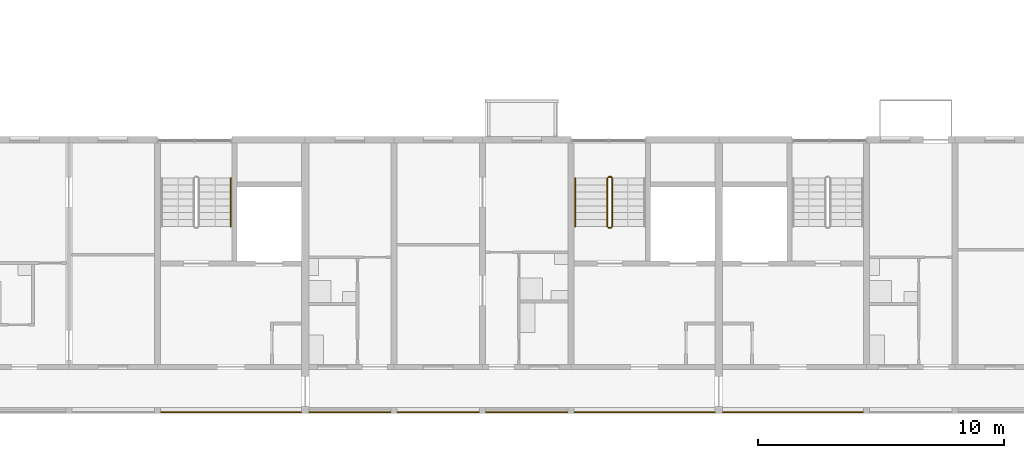
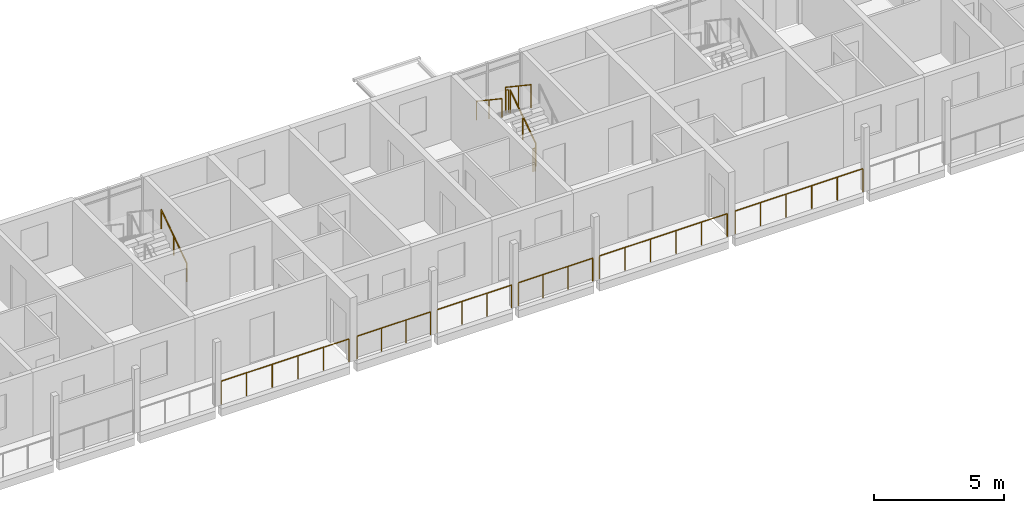
# One storey, part 82 of 98: 12 railings.
"""IFC4 building model written with IfcOpenShell, lengths in metres."""

from ifc_helpers import new_model, si_unit, direction, frame, origin, origin_2d, place, context, subcontext, project, spatial, circle, extrude, material, type_object, element, save


model = new_model("IFC4")

# Units and contexts
model_context = context("Model", 3, precision=1e-05, world=origin(), true_north=direction((0.0, 1.0)))
body_context = subcontext(model_context, "Body", "Model", "MODEL_VIEW")
ifc_project = project(units=[si_unit("LENGTHUNIT", "METRE"), si_unit("AREAUNIT", "SQUARE_METRE"), si_unit("VOLUMEUNIT", "CUBIC_METRE"), si_unit("PLANEANGLEUNIT", "RADIAN"), si_unit("MASSUNIT", "GRAM", prefix="KILO")], contexts=[model_context])

# Site, building, storey
site_placement = place(None, origin())
site = spatial("IfcSite", under=ifc_project, at=site_placement, CompositionType="ELEMENT")
building_placement = place(site_placement, origin())
building = spatial("IfcBuilding", under=site, at=building_placement, Name="Ridgestep Commons", CompositionType="ELEMENT")
storey_placement = place(building_placement, frame((0.0, 0.0, 12.0)))
storey = spatial("IfcBuildingStorey", under=building, at=storey_placement, Name="L04", CompositionType="ELEMENT", Elevation=12.0)

# Railings
ifc_material_1 = material(Name="Structural steel S355JR", Category="steel")
railing_type_1 = type_object("IfcRailingType", Name="Guard 1100", PredefinedType="GUARDRAIL", material=ifc_material_1)
railing_1_placement = place(storey_placement, frame((73.345947265625, 11.800048828125, 0.0)))
element("IfcRailing", 1, at=railing_1_placement, inside=storey, type_object=railing_type_1, Name="Gallery guard A 04.16", PredefinedType="GUARDRAIL", context=body_context, shape_type="SweptSolid", body=[
    extrude(circle(Radius=0.02392578125, at=origin_2d()), frame((0.0, 0.0, 1.076171875), z_axis=(1.0, 0.0, 0.0), x_axis=(0.0, 1.0, 0.0)), (0.0, 0.0, 1.0), 5.68310546875),
    extrude(circle(Radius=0.02099609375, at=origin_2d()), origin(), (0.0, 0.0, 1.0), 1.052001953125),
    extrude(circle(Radius=0.02099609375, at=origin_2d()), frame((1.13671875, 0.0, 0.0)), (0.0, 0.0, 1.0), 1.052001953125),
    extrude(circle(Radius=0.02099609375, at=origin_2d()), frame((2.273193359375, 0.0, 0.0)), (0.0, 0.0, 1.0), 1.052001953125),
    extrude(circle(Radius=0.02099609375, at=origin_2d()), frame((3.409912109375, 0.0, 0.0)), (0.0, 0.0, 1.0), 1.052001953125),
    extrude(circle(Radius=0.02099609375, at=origin_2d()), frame((4.54638671875, 0.0, 0.0)), (0.0, 0.0, 1.0), 1.052001953125),
    extrude(circle(Radius=0.02099609375, at=origin_2d()), frame((5.68310546875, 0.0, 0.0)), (0.0, 0.0, 1.0), 1.052001953125),
])
railing_2_placement = place(storey_placement, frame((79.37109375, 11.800048828125, 0.0)))
element("IfcRailing", 2, at=railing_2_placement, inside=storey, type_object=railing_type_1, Name="Gallery guard A 04.17", PredefinedType="GUARDRAIL", context=body_context, shape_type="SweptSolid", body=[
    extrude(circle(Radius=0.02392578125, at=origin_2d()), frame((0.0, 0.0, 1.076171875), z_axis=(1.0, 0.0, 0.0), x_axis=(0.0, 1.0, 0.0)), (0.0, 0.0, 1.0), 3.282958984375),
    extrude(circle(Radius=0.02099609375, at=origin_2d()), origin(), (0.0, 0.0, 1.0), 1.052001953125),
    extrude(circle(Radius=0.02099609375, at=origin_2d()), frame((1.09423828125, 0.0, 0.0)), (0.0, 0.0, 1.0), 1.052001953125),
    extrude(circle(Radius=0.02099609375, at=origin_2d()), frame((2.188720703125, 0.0, 0.0)), (0.0, 0.0, 1.0), 1.052001953125),
    extrude(circle(Radius=0.02099609375, at=origin_2d()), frame((3.282958984375, 0.0, 0.0)), (0.0, 0.0, 1.0), 1.052001953125),
])
railing_3_placement = place(storey_placement, frame((82.946044921875, 11.800048828125, 0.0)))
element("IfcRailing", 3, at=railing_3_placement, inside=storey, type_object=railing_type_1, Name="Gallery guard A 04.18", PredefinedType="GUARDRAIL", context=body_context, shape_type="SweptSolid", body=[
    extrude(circle(Radius=0.02392578125, at=origin_2d()), frame((0.0, 0.0, 1.076171875), z_axis=(1.0, 0.0, 0.0), x_axis=(0.0, 1.0, 0.0)), (0.0, 0.0, 1.0), 3.307861328125),
    extrude(circle(Radius=0.02099609375, at=origin_2d()), origin(), (0.0, 0.0, 1.0), 1.052001953125),
    extrude(circle(Radius=0.02099609375, at=origin_2d()), frame((1.1025390625, 0.0, 0.0)), (0.0, 0.0, 1.0), 1.052001953125),
    extrude(circle(Radius=0.02099609375, at=origin_2d()), frame((2.205322265625, 0.0, 0.0)), (0.0, 0.0, 1.0), 1.052001953125),
    extrude(circle(Radius=0.02099609375, at=origin_2d()), frame((3.307861328125, 0.0, 0.0)), (0.0, 0.0, 1.0), 1.052001953125),
])
railing_4_placement = place(storey_placement, frame((86.5458984375, 11.800048828125, 0.0)))
element("IfcRailing", 4, at=railing_4_placement, inside=storey, type_object=railing_type_1, Name="Gallery guard A 04.19", PredefinedType="GUARDRAIL", context=body_context, shape_type="SweptSolid", body=[
    extrude(circle(Radius=0.02392578125, at=origin_2d()), frame((0.0, 0.0, 1.076171875), z_axis=(1.0, 0.0, 0.0), x_axis=(0.0, 1.0, 0.0)), (0.0, 0.0, 1.0), 3.30810546875),
    extrude(circle(Radius=0.02099609375, at=origin_2d()), origin(), (0.0, 0.0, 1.0), 1.052001953125),
    extrude(circle(Radius=0.02099609375, at=origin_2d()), frame((1.102783203125, 0.0, 0.0)), (0.0, 0.0, 1.0), 1.052001953125),
    extrude(circle(Radius=0.02099609375, at=origin_2d()), frame((2.205322265625, 0.0, 0.0)), (0.0, 0.0, 1.0), 1.052001953125),
    extrude(circle(Radius=0.02099609375, at=origin_2d()), frame((3.30810546875, 0.0, 0.0)), (0.0, 0.0, 1.0), 1.052001953125),
])
for number, where, name in (
    (5, (90.14599609375, 11.800048828125, 0.0), "Gallery guard A 04.20"),
    (6, (96.1708984375, 11.800048828125, 0.0), "Gallery guard A 04.21"),
):
    element("IfcRailing", number, at=place(storey_placement, frame(where)), inside=storey, type_object=railing_type_1, Name=name, PredefinedType="GUARDRAIL", context=body_context, shape_type="SweptSolid", body=[
        extrude(circle(Radius=0.02392578125, at=origin_2d()), frame((0.0, 0.0, 1.076171875), z_axis=(1.0, 0.0, 0.0), x_axis=(0.0, 1.0, 0.0)), (0.0, 0.0, 1.0), 5.68310546875),
        extrude(circle(Radius=0.02099609375, at=origin_2d()), origin(), (0.0, 0.0, 1.0), 1.052001953125),
        extrude(circle(Radius=0.02099609375, at=origin_2d()), frame((1.13671875, 0.0, 0.0)), (0.0, 0.0, 1.0), 1.052001953125),
        extrude(circle(Radius=0.02099609375, at=origin_2d()), frame((2.273193359375, 0.0, 0.0)), (0.0, 0.0, 1.0), 1.052001953125),
        extrude(circle(Radius=0.02099609375, at=origin_2d()), frame((3.409912109375, 0.0, 0.0)), (0.0, 0.0, 1.0), 1.052001953125),
        extrude(circle(Radius=0.02099609375, at=origin_2d()), frame((4.54638671875, 0.0, 0.0)), (0.0, 0.0, 1.0), 1.052001953125),
        extrude(circle(Radius=0.02099609375, at=origin_2d()), frame((5.68310546875, 0.0, 0.0)), (0.0, 0.0, 1.0), 1.052001953125),
    ])
ifc_material_2 = material(Name="Structural steel S355JR", Category="steel")
railing_type_2 = type_object("IfcRailingType", Name="Stair guard 1100", PredefinedType="GUARDRAIL", material=ifc_material_2)
railing_5_placement = place(storey_placement, frame((91.675048828125, 19.35009765625, 0.1875)))
element("IfcRailing", 7, at=railing_5_placement, inside=storey, type_object=railing_type_2, Name="L04 A5C stair guard 1", PredefinedType="GUARDRAIL", context=body_context, shape_type="SweptSolid", body=[
    extrude(circle(Radius=0.02392578125, at=origin_2d()), frame((0.0, 0.0, 1.076171875), z_axis=(0.0, 0.830902050051, 0.556418712142), x_axis=(-1.0, 0.0, 0.0)), (0.0, 0.0, 1.0), 2.35888671875),
    extrude(circle(Radius=0.02099609375, at=origin_2d()), origin(), (0.0, 0.0, 1.0), 1.052001953125),
    extrude(circle(Radius=0.02099609375, at=origin_2d()), frame((0.0, 0.97998046875, 0.65625)), (0.0, 0.0, 1.0), 1.052001953125),
    extrude(circle(Radius=0.02099609375, at=origin_2d()), frame((0.0, 1.9599609375, 1.3125)), (0.0, 0.0, 1.0), 1.052001953125),
])
railing_6_placement = place(storey_placement, frame((91.625, 21.360107421875, 1.5)))
element("IfcRailing", 8, at=railing_6_placement, inside=storey, type_object=railing_type_2, Name="L04 A5C stair guard 2", PredefinedType="GUARDRAIL", context=body_context, shape_type="SweptSolid", body=[
    extrude(circle(Radius=0.02392578125, at=origin_2d()), frame((0.0, 0.0, 1.076171875), z_axis=(-1.0, 0.0, 0.0), x_axis=(0.0, -1.0, 0.0)), (0.0, 0.0, 1.0), 0.10009765625),
    extrude(circle(Radius=0.02099609375, at=origin_2d()), origin(), (0.0, 0.0, 1.0), 1.052001953125),
    extrude(circle(Radius=0.02099609375, at=origin_2d()), frame((-0.10009765625, 0.0, 0.0)), (0.0, 0.0, 1.0), 1.052001953125),
])
railing_7_placement = place(storey_placement, frame((91.47509765625, 21.31005859375, 1.6875)))
element("IfcRailing", 9, at=railing_7_placement, inside=storey, type_object=railing_type_2, Name="L04 A5C stair guard 3", PredefinedType="GUARDRAIL", context=body_context, shape_type="SweptSolid", body=[
    extrude(circle(Radius=0.02392578125, at=origin_2d()), frame((0.0, 0.0, 1.076171875), z_axis=(0.0, -0.830902050051, 0.556418712142), x_axis=(1.0, 0.0, 0.0)), (0.0, 0.0, 1.0), 2.35888671875),
    extrude(circle(Radius=0.02099609375, at=origin_2d()), origin(), (0.0, 0.0, 1.0), 1.052001953125),
    extrude(circle(Radius=0.02099609375, at=origin_2d()), frame((0.0, -0.97998046875, 0.65625)), (0.0, 0.0, 1.0), 1.052001953125),
    extrude(circle(Radius=0.02099609375, at=origin_2d()), frame((0.0, -1.9599609375, 1.3125)), (0.0, 0.0, 1.0), 1.052001953125),
])
railing_8_placement = place(storey_placement, frame((91.625, 19.300048828125, 0.0)))
element("IfcRailing", 10, at=railing_8_placement, inside=storey, type_object=railing_type_2, Name="L04 A5C stair guard 4", PredefinedType="GUARDRAIL", context=body_context, shape_type="SweptSolid", body=[
    extrude(circle(Radius=0.02392578125, at=origin_2d()), frame((0.0, 0.0, 1.076171875), z_axis=(-1.0, 0.0, 0.0), x_axis=(0.0, -1.0, 0.0)), (0.0, 0.0, 1.0), 0.10009765625),
    extrude(circle(Radius=0.02099609375, at=origin_2d()), origin(), (0.0, 0.0, 1.0), 1.052001953125),
    extrude(circle(Radius=0.02099609375, at=origin_2d()), frame((-0.10009765625, 0.0, 0.0)), (0.0, 0.0, 1.0), 1.052001953125),
])
ifc_material_3 = material(Name="Structural steel S355JR", Category="steel")
railing_type_3 = type_object("IfcRailingType", Name="Stair handrail 900", PredefinedType="HANDRAIL", material=ifc_material_3)
railing_9_placement = place(storey_placement, frame((76.175048828125, 19.35009765625, 0.1875)))
element("IfcRailing", 11, at=railing_9_placement, inside=storey, type_object=railing_type_3, Name="L04 A4C stair handrail 1", PredefinedType="HANDRAIL", context=body_context, shape_type="SweptSolid", body=[
    extrude(circle(Radius=0.02392578125, at=origin_2d()), frame((0.0, 0.0, 0.8759765625), z_axis=(0.0, 0.830902050051, 0.556418712142), x_axis=(-1.0, 0.0, 0.0)), (0.0, 0.0, 1.0), 2.35888671875),
    extrude(circle(Radius=0.02099609375, at=origin_2d()), origin(), (0.0, 0.0, 1.0), 0.851806640625),
    extrude(circle(Radius=0.02099609375, at=origin_2d()), frame((0.0, 0.97998046875, 0.65625)), (0.0, 0.0, 1.0), 0.851806640625),
    extrude(circle(Radius=0.02099609375, at=origin_2d()), frame((0.0, 1.9599609375, 1.3125)), (0.0, 0.0, 1.0), 0.851806640625),
])
railing_10_placement = place(storey_placement, frame((90.175048828125, 21.31005859375, 1.6875)))
element("IfcRailing", 12, at=railing_10_placement, inside=storey, type_object=railing_type_3, Name="L04 A5C stair handrail 2", PredefinedType="HANDRAIL", context=body_context, shape_type="SweptSolid", body=[
    extrude(circle(Radius=0.02392578125, at=origin_2d()), frame((0.0, 0.0, 0.8759765625), z_axis=(0.0, -0.830902050051, 0.556418712142), x_axis=(1.0, 0.0, 0.0)), (0.0, 0.0, 1.0), 2.35888671875),
    extrude(circle(Radius=0.02099609375, at=origin_2d()), origin(), (0.0, 0.0, 1.0), 0.851806640625),
    extrude(circle(Radius=0.02099609375, at=origin_2d()), frame((0.0, -0.97998046875, 0.65625)), (0.0, 0.0, 1.0), 0.851806640625),
    extrude(circle(Radius=0.02099609375, at=origin_2d()), frame((0.0, -1.9599609375, 1.3125)), (0.0, 0.0, 1.0), 0.851806640625),
])

save(model, "model.ifc")
